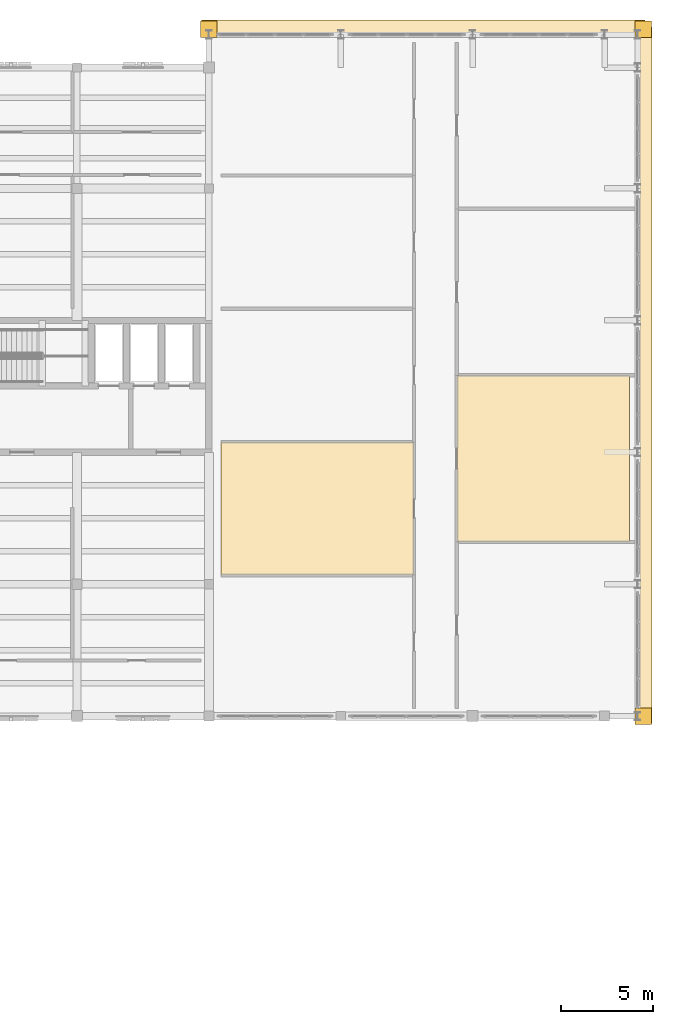
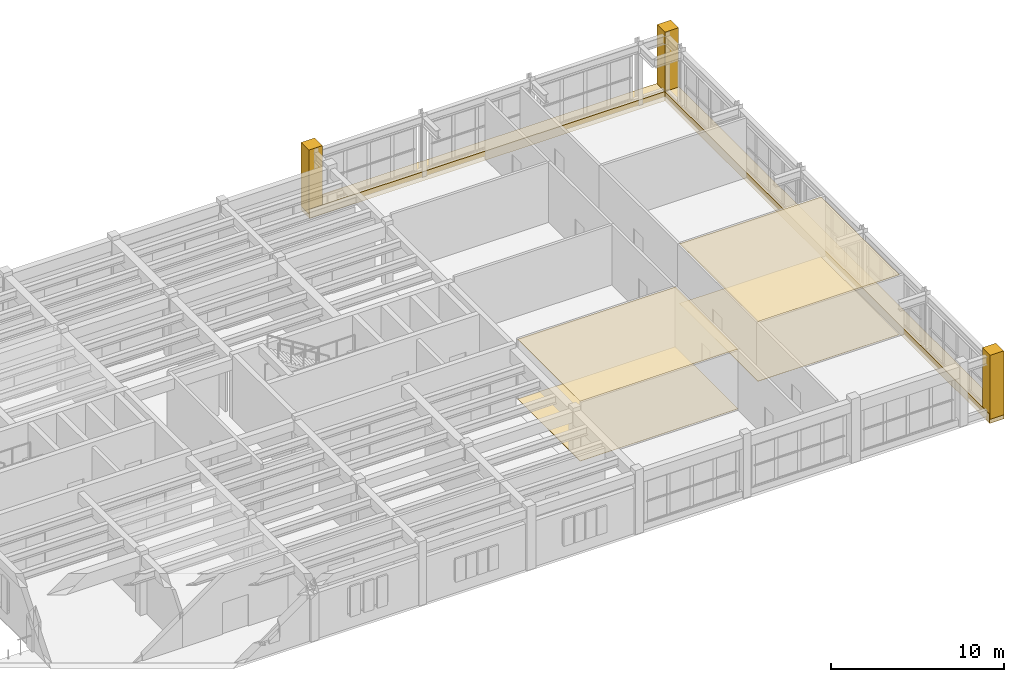
# One storey, part 18 of 18: 9 coverings.
"""IFC4 building model written with IfcOpenShell, lengths in metres."""

from ifc_helpers import new_model, si_unit, direction, frame, origin, origin_2d, place, context, subcontext, project, spatial, polyline, rectangle, outline, extrude, material, layer, layer_set, type_object, element, save


model = new_model("IFC4")

# Units and contexts
model_context = context("Model", 3, precision=1e-05, world=origin(), true_north=direction((0.0, 1.0)))
body_context = subcontext(model_context, "Body", "Model", "MODEL_VIEW")
ifc_project = project(units=[si_unit("LENGTHUNIT", "METRE"), si_unit("AREAUNIT", "SQUARE_METRE"), si_unit("VOLUMEUNIT", "CUBIC_METRE"), si_unit("PLANEANGLEUNIT", "RADIAN"), si_unit("MASSUNIT", "GRAM", prefix="KILO")], contexts=[model_context])

# Site, building, storey
site_placement = place(None, origin())
site = spatial("IfcSite", under=ifc_project, at=site_placement, CompositionType="ELEMENT")
building_placement = place(site_placement, origin())
building = spatial("IfcBuilding", under=site, at=building_placement, Name="Mithqara Police Headquarters", CompositionType="ELEMENT")
storey_placement = place(building_placement, frame((0.0, 0.0, 26.39990234375)))
storey = spatial("IfcBuildingStorey", under=building, at=storey_placement, Name="L06", CompositionType="ELEMENT", Elevation=26.39990234375)

# Coverings
ifc_material_1 = material(Name="Acoustic mineral-fibre ceiling tile", Category="gypsum")
ifc_layer_1 = layer(ifc_material_1, 0.02490234375, Name="Acoustic mineral-fibre ceiling tile")
ifc_layer_set_1 = layer_set([ifc_layer_1], Name="Acoustic mineral-fibre ceiling tile")
covering_type_1 = type_object("IfcCoveringType", Name="ACOUSTIC CEILING TILE", PredefinedType="CEILING", material=ifc_layer_set_1)
covering_1_placement = place(storey_placement, frame((0.0, 0.0, 4.195068359375)))
element("IfcCovering", 1, at=covering_1_placement, inside=storey, type_object=covering_type_1, Name="Emergency Dispatch Hall Acoustic Ceiling", PredefinedType="CEILING", context=body_context, shape_type="SweptSolid", body=[
    extrude(outline(polyline([(145.27001953125, 86.31201171875), (155.77490234375, 86.31201171875), (155.77490234375, 93.5439453125), (145.27001953125, 93.5439453125), (145.27001953125, 86.31201171875)])), origin(), (0.0, 0.0, 1.0), 0.025146484375),
])
covering_2_placement = place(storey_placement, frame((0.0, 0.0, 4.195068359375)))
element("IfcCovering", 2, at=covering_2_placement, inside=storey, type_object=covering_type_1, Name="Control Room Acoustic Ceiling", PredefinedType="CEILING", context=body_context, shape_type="SweptSolid", body=[
    extrude(outline(polyline([(158.155029296875, 88.1298828125), (167.56005859375, 88.1298828125), (167.56005859375, 97.179931640625), (158.155029296875, 97.179931640625), (158.155029296875, 88.1298828125)])), origin(), (0.0, 0.0, 1.0), 0.025146484375),
])
ifc_material_2 = material(Name="Limestone ashlar masonry, 45 MPa", Category="masonry")
ifc_layer_2 = layer(ifc_material_2, 0.320068359375, Name="Limestone ashlar masonry, 45 MPa")
ifc_layer_set_2 = layer_set([ifc_layer_2], Name="Limestone ashlar masonry, 45 MPa")
covering_type_2 = type_object("IfcCoveringType", Name="CORNICE LIMESTONE", PredefinedType="CLADDING", material=ifc_layer_set_2)
covering_3_placement = place(storey_placement, frame((168.320068359375, 97.199951171875, -0.324951171875), z_axis=(0.0, 0.0, 1.0), x_axis=(1.0, 0.0, 0.0)))
element("IfcCovering", 3, at=covering_3_placement, inside=storey, type_object=covering_type_2, Name="Command Cube Deep Box Frame East BOT", PredefinedType="CLADDING", context=body_context, shape_type="SweptSolid", body=[
    extrude(rectangle(XDim=0.949951171875, YDim=38.0, at=origin_2d()), origin(), (0.0, 0.0, 1.0), 0.64990234375),
])
covering_4_placement = place(storey_placement, frame((156.300048828125, 116.1201171875, -0.324951171875), z_axis=(0.0, 0.0, 1.0), x_axis=(1.0, 0.0, 0.0)))
element("IfcCovering", 4, at=covering_4_placement, inside=storey, type_object=covering_type_2, Name="Command Cube Deep Box Frame North BOT", PredefinedType="CLADDING", context=body_context, shape_type="SweptSolid", body=[
    extrude(rectangle(XDim=24.199951171875, YDim=0.949951171875, at=origin_2d()), origin(), (0.0, 0.0, 1.0), 0.64990234375),
])
for number, where, z_axis, x_axis, name in (
    (5, (168.300048828125, 78.60009765625, 0.0), (0.0, 0.0, 1.0), (1.0, 0.0, 0.0), "L06 Command Cube Deep Corner Frame SE"),
    (6, (168.300048828125, 116.10009765625, 0.0), (0.0, 0.0, 1.0), (1.0, 0.0, 0.0), "L06 Command Cube Deep Corner Frame NE"),
    (7, (144.60009765625, 116.10009765625, 0.0), (0.0, 0.0, 1.0), (1.0, 0.0, 0.0), "L06 Command Cube Deep Corner Frame NW"),
):
    element("IfcCovering", number, at=place(storey_placement, frame(where, z_axis=z_axis, x_axis=x_axis)), inside=storey, type_object=covering_type_2, Name=name, PredefinedType="CLADDING", context=body_context, shape_type="SweptSolid", body=[
        extrude(rectangle(XDim=0.89990234375, YDim=0.89990234375, at=origin_2d()), origin(), (0.0, 0.0, 1.0), 4.5),
    ])
ifc_material_3 = material(Name="Polished limestone terrazzo flooring", Category="masonry")
ifc_layer_3 = layer(ifc_material_3, 0.02001953125, Name="Polished limestone terrazzo flooring")
ifc_layer_set_3 = layer_set([ifc_layer_3], Name="Polished limestone terrazzo flooring")
covering_type_3 = type_object("IfcCoveringType", Name="TERRAZZO FLOOR FINISH", PredefinedType="FLOORING", material=ifc_layer_set_3)
covering_5_placement = place(storey_placement, origin())
element("IfcCovering", 8, at=covering_5_placement, inside=storey, type_object=covering_type_3, Name="Emergency Dispatch Hall Terrazzo Floor Finish", PredefinedType="FLOORING", context=body_context, shape_type="SweptSolid", body=[
    extrude(outline(polyline([(145.27001953125, 86.31201171875), (155.77490234375, 86.31201171875), (155.77490234375, 93.5439453125), (145.27001953125, 93.5439453125), (145.27001953125, 86.31201171875)])), origin(), (0.0, 0.0, 1.0), 0.02001953125),
])
covering_6_placement = place(storey_placement, origin())
element("IfcCovering", 9, at=covering_6_placement, inside=storey, type_object=covering_type_3, Name="Control Room Terrazzo Floor Finish", PredefinedType="FLOORING", context=body_context, shape_type="SweptSolid", body=[
    extrude(outline(polyline([(158.155029296875, 88.1298828125), (167.56005859375, 88.1298828125), (167.56005859375, 97.179931640625), (158.155029296875, 97.179931640625), (158.155029296875, 88.1298828125)])), origin(), (0.0, 0.0, 1.0), 0.02001953125),
])

save(model, "model.ifc")
